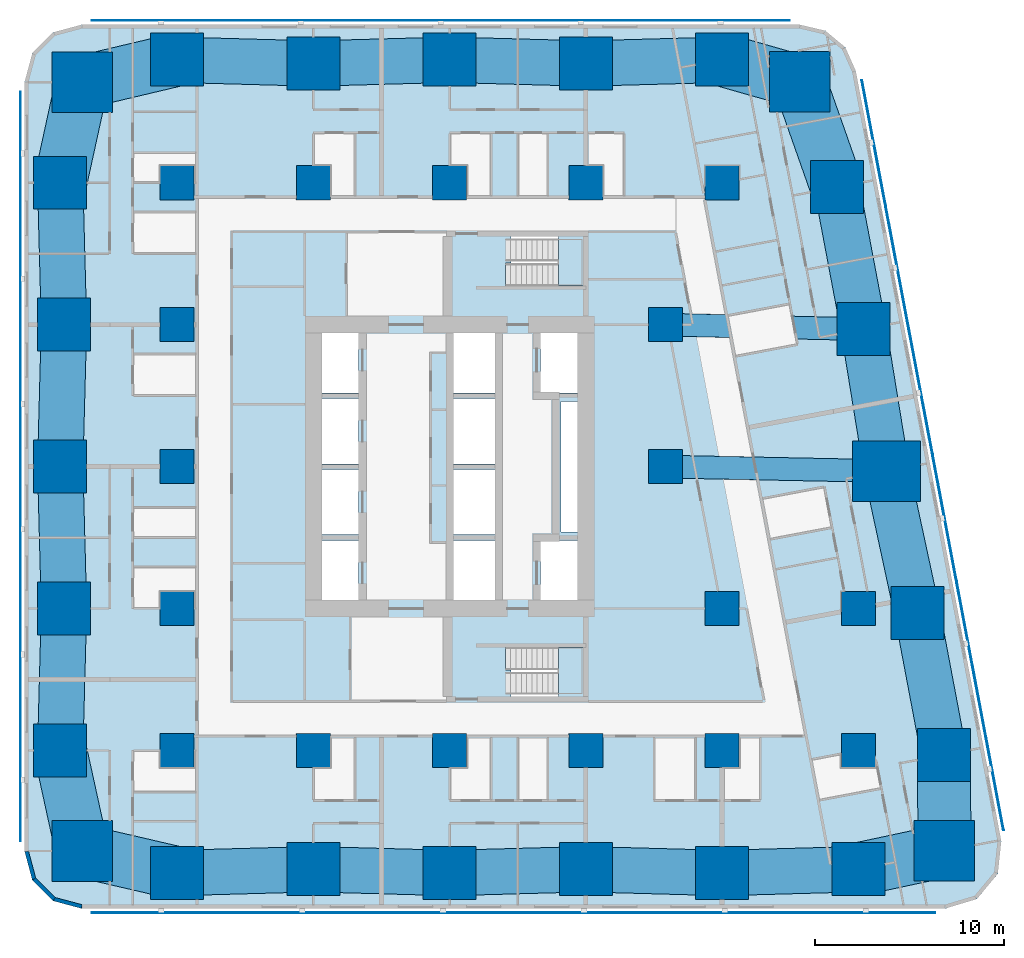
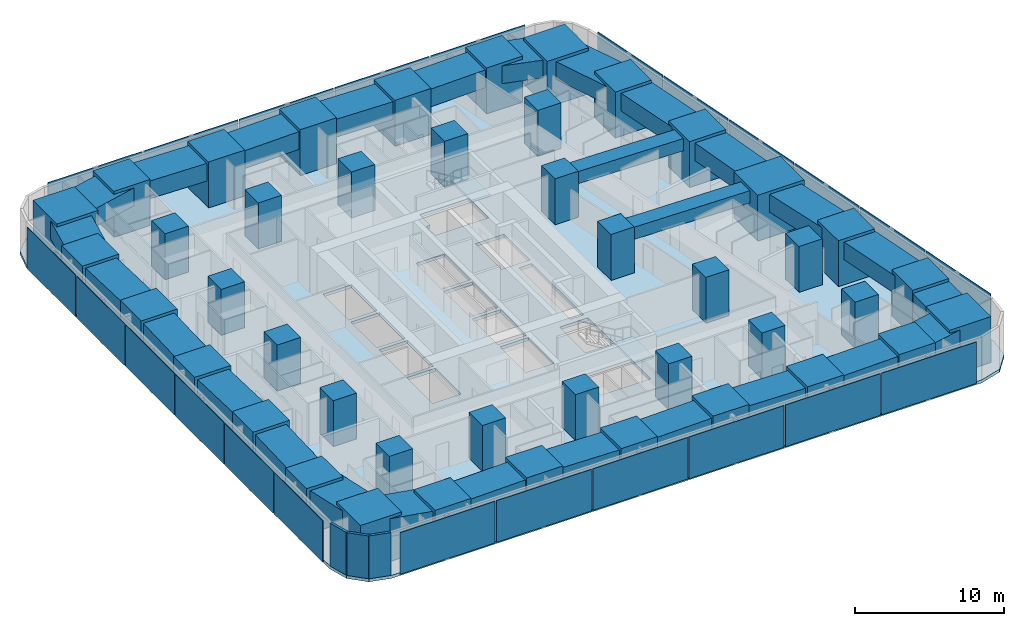
# One storey, part 1 of 16: 43 columns, 27 beams, 23 plates, 3 slabs, 3 walls, 2 elements without a shape of their own.
"""IFC4 building model written with IfcOpenShell, lengths in metres."""

from ifc_helpers import new_model, si_unit, direction, frame, frame_2d, origin, origin_2d, place, context, subcontext, project, spatial, polyline, rectangle, outline, extrude, material, layer, layer_set, material_profile, profile_set, type_object, element, aggregate, save


model = new_model("IFC4")

# Units and contexts
model_context = context("Model", 3, precision=1e-05, world=origin(), true_north=direction((0.0, 1.0)))
body_context = subcontext(model_context, "Body", "Model", "MODEL_VIEW")
ifc_project = project(units=[si_unit("LENGTHUNIT", "METRE"), si_unit("AREAUNIT", "SQUARE_METRE"), si_unit("VOLUMEUNIT", "CUBIC_METRE"), si_unit("PLANEANGLEUNIT", "RADIAN"), si_unit("MASSUNIT", "GRAM", prefix="KILO")], contexts=[model_context])

# Site, building, storey
site_placement = place(None, origin())
site = spatial("IfcSite", under=ifc_project, at=site_placement, CompositionType="ELEMENT")
building_placement = place(site_placement, origin())
building = spatial("IfcBuilding", under=site, at=building_placement, Name="Sheger Commons Tower", CompositionType="ELEMENT")
storey_placement = place(building_placement, frame((0.0, 0.0, 53.75)))
storey = spatial("IfcBuildingStorey", under=building, at=storey_placement, Name="L13", CompositionType="ELEMENT", Elevation=53.75)

# Columns
ifc_material_1 = material(Name="Concrete C50/60", Category="concrete")
ifc_material_profile_1 = material_profile(ifc_material_1, rectangle(XDim=3.60009765625, YDim=3.199951171875, at=origin_2d()), Name="RC 3600x3200")
ifc_profile_set_1 = profile_set([ifc_material_profile_1], Name="Concrete C50/60")
column_type_1 = type_object("IfcColumnType", Name="COLUMN PIER RC 3600x3200", PredefinedType="COLUMN", material=ifc_profile_set_1)
column_placement = place(storey_placement, frame((44.697021484375, 22.262939453125, 0.0), z_axis=(0.0, 0.0, 1.0), x_axis=(1.0, 0.0, 0.0)))
element("IfcColumn", 1, at=column_placement, inside=storey, type_object=column_type_1, Name="Pier 7/D+E/D L13", PredefinedType="COLUMN", context=body_context, shape_type="SweptSolid", body=[
    extrude(rectangle(XDim=3.60009765625, YDim=3.199951171875, at=origin_2d()), origin(), (0.0, 0.0, 1.0), 3.75),
])
ifc_material_2 = material(Name="Concrete C50/60", Category="concrete")
ifc_material_profile_2 = material_profile(ifc_material_2, rectangle(XDim=1.800048828125, YDim=1.800048828125, at=origin_2d()), Name="RC 1800x1800")
ifc_profile_set_2 = profile_set([ifc_material_profile_2], Name="Concrete C50/60")
column_type_2 = type_object("IfcColumnType", Name="COLUMN RC 1800x1800", PredefinedType="COLUMN", material=ifc_profile_set_2)
for number, where, z_axis, x_axis, name in (
    (2, (7.199951171875, 7.5, 0.0), (0.0, 0.0, 1.0), (1.0, 0.0, 0.0), "Column 2/B L13"),
    (3, (14.39990234375, 7.5, 0.0), (0.0, 0.0, 1.0), (1.0, 0.0, 0.0), "Column 3/B L13"),
    (4, (21.60009765625, 7.5, 0.0), (0.0, 0.0, 1.0), (1.0, 0.0, 0.0), "Column 4/B L13"),
    (5, (28.800048828125, 7.5, 0.0), (0.0, 0.0, 1.0), (1.0, 0.0, 0.0), "Column 5/B L13"),
    (6, (36.0, 7.5, 0.0), (0.0, 0.0, 1.0), (1.0, 0.0, 0.0), "Column 6/B L13"),
    (7, (43.199951171875, 7.5, 0.0), (0.0, 0.0, 1.0), (1.0, 0.0, 0.0), "Column 7/B L13"),
    (8, (7.199951171875, 15.0, 0.0), (0.0, 0.0, 1.0), (1.0, 0.0, 0.0), "Column 2/C L13"),
    (9, (36.0, 15.0, 0.0), (0.0, 0.0, 1.0), (1.0, 0.0, 0.0), "Column 6/C L13"),
    (10, (43.199951171875, 15.0, 0.0), (0.0, 0.0, 1.0), (1.0, 0.0, 0.0), "Column 7/C L13"),
    (11, (7.199951171875, 22.5, 0.0), (0.0, 0.0, 1.0), (1.0, 0.0, 0.0), "Column 2/D L13"),
    (12, (33.0, 22.5, 0.0), (0.0, 0.0, 1.0), (1.0, 0.0, 0.0), "Column 6-3000/D L13"),
    (13, (7.199951171875, 30.0, 0.0), (0.0, 0.0, 1.0), (1.0, 0.0, 0.0), "Column 2/E L13"),
    (14, (33.0, 30.0, 0.0), (0.0, 0.0, 1.0), (1.0, 0.0, 0.0), "Column 6-3000/E L13"),
    (15, (7.199951171875, 37.5, 0.0), (0.0, 0.0, 1.0), (1.0, 0.0, 0.0), "Column 2/F L13"),
    (16, (14.39990234375, 37.5, 0.0), (0.0, 0.0, 1.0), (1.0, 0.0, 0.0), "Column 3/F L13"),
    (17, (21.60009765625, 37.5, 0.0), (0.0, 0.0, 1.0), (1.0, 0.0, 0.0), "Column 4/F L13"),
    (18, (28.800048828125, 37.5, 0.0), (0.0, 0.0, 1.0), (1.0, 0.0, 0.0), "Column 5/F L13"),
    (19, (36.0, 37.5, 0.0), (0.0, 0.0, 1.0), (1.0, 0.0, 0.0), "Column 6/F L13"),
):
    element("IfcColumn", number, at=place(storey_placement, frame(where, z_axis=z_axis, x_axis=x_axis)), inside=storey, type_object=column_type_2, Name=name, PredefinedType="COLUMN", context=body_context, shape_type="SweptSolid", body=[
        extrude(rectangle(XDim=1.800048828125, YDim=1.800048828125, at=origin_2d()), origin(), (0.0, 0.0, 1.0), 3.75),
    ])
ifc_material_3 = material(Name="Concrete C50/60", Category="concrete")
ifc_material_profile_3 = material_profile(ifc_material_3, rectangle(XDim=2.800048828125, YDim=2.800048828125, at=origin_2d()), Name="RC 2800x2800")
ifc_profile_set_3 = profile_set([ifc_material_profile_3], Name="Concrete C50/60")
column_type_3 = type_object("IfcColumnType", Name="COLUMN RC 2800x2800", PredefinedType="COLUMN", material=ifc_profile_set_3)
for number, where, z_axis, x_axis, name in (
    (20, (7.199951171875, 1.02490234375, 0.0), (0.0, 0.0, 1.0), (1.0, 0.0, 0.0), "Column 2/A L13"),
    (21, (14.39990234375, 1.22509765625, 0.0), (0.0, 0.0, 1.0), (1.0, 0.0, 0.0), "Column 3/A L13"),
    (22, (21.60009765625, 1.02490234375, 0.0), (0.0, 0.0, 1.0), (1.0, 0.0, 0.0), "Column 4/A L13"),
    (23, (28.800048828125, 1.22509765625, 0.0), (0.0, 0.0, 1.0), (1.0, 0.0, 0.0), "Column 5/A L13"),
    (24, (36.0, 1.02490234375, 0.0), (0.0, 0.0, 1.0), (1.0, 0.0, 0.0), "Column 6/A L13"),
    (25, (43.199951171875, 1.22509765625, 0.0), (0.0, 0.0, 1.0), (1.0, 0.0, 0.0), "Column 7/A L13"),
    (26, (1.02490234375, 7.5, 0.0), (0.0, 0.0, 1.0), (1.0, 0.0, 0.0), "Column 1/B L13"),
    (27, (47.72998046875, 7.262939453125, 0.0), (0.0, 0.0, 1.0), (1.0, 0.0, 0.0), "Column E/B L13"),
    (28, (1.22509765625, 15.0, 0.0), (0.0, 0.0, 1.0), (1.0, 0.0, 0.0), "Column 1/C L13"),
    (29, (46.31396484375, 14.762939453125, 0.0), (0.0, 0.0, 1.0), (1.0, 0.0, 0.0), "Column E/C L13"),
    (30, (1.02490234375, 22.5, 0.0), (0.0, 0.0, 1.0), (1.0, 0.0, 0.0), "Column 1/D L13"),
    (31, (1.22509765625, 30.0, 0.0), (0.0, 0.0, 1.0), (1.0, 0.0, 0.0), "Column 1/E L13"),
    (32, (43.47998046875, 29.762939453125, 0.0), (0.0, 0.0, 1.0), (1.0, 0.0, 0.0), "Column E/E L13"),
    (33, (1.02490234375, 37.5, 0.0), (0.0, 0.0, 1.0), (1.0, 0.0, 0.0), "Column 1/F L13"),
    (34, (42.06396484375, 37.262939453125, 0.0), (0.0, 0.0, 1.0), (1.0, 0.0, 0.0), "Column E/F L13"),
    (35, (7.199951171875, 44.0, 0.0), (0.0, 0.0, 1.0), (1.0, 0.0, 0.0), "Column 2/G L13"),
    (36, (14.39990234375, 43.800048828125, 0.0), (0.0, 0.0, 1.0), (1.0, 0.0, 0.0), "Column 3/G L13"),
    (37, (21.60009765625, 44.0, 0.0), (0.0, 0.0, 1.0), (1.0, 0.0, 0.0), "Column 4/G L13"),
    (38, (28.800048828125, 43.800048828125, 0.0), (0.0, 0.0, 1.0), (1.0, 0.0, 0.0), "Column 5/G L13"),
    (39, (36.0, 44.0, 0.0), (0.0, 0.0, 1.0), (1.0, 0.0, 0.0), "Column 6/G L13"),
):
    element("IfcColumn", number, at=place(storey_placement, frame(where, z_axis=z_axis, x_axis=x_axis)), inside=storey, type_object=column_type_3, Name=name, PredefinedType="COLUMN", context=body_context, shape_type="SweptSolid", body=[
        extrude(rectangle(XDim=2.800048828125, YDim=2.800048828125, at=origin_2d()), origin(), (0.0, 0.0, 1.0), 3.75),
    ])
ifc_material_4 = material(Name="Concrete C50/60", Category="concrete")
ifc_material_profile_4 = material_profile(ifc_material_4, rectangle(XDim=3.199951171875, YDim=3.199951171875, at=origin_2d()), Name="RC 3200x3200")
ifc_profile_set_4 = profile_set([ifc_material_profile_4], Name="Concrete C50/60")
column_type_4 = type_object("IfcColumnType", Name="COLUMN RC 3200x3200", PredefinedType="COLUMN", material=ifc_profile_set_4)
for number, where, z_axis, x_axis, name in (
    (40, (2.18603515625, 2.18603515625, 0.0), (0.0, 0.0, 1.0), (1.0, 0.0, 0.0), "Column 0.630,0.630 L13"),
    (41, (47.748046875, 2.197021484375, 0.0), (0.0, 0.0, 1.0), (1.0, 0.0, 0.0), "Column 49.461,0.778 L13"),
    (42, (2.18603515625, 42.81396484375, 0.0), (0.0, 0.0, 1.0), (1.0, 0.0, 0.0), "Column 0.630,44.370 L13"),
    (43, (40.10205078125, 42.830078125, 0.0), (0.0, 0.0, 1.0), (1.0, 0.0, 0.0), "Column 41.490,44.505 L13"),
):
    element("IfcColumn", number, at=place(storey_placement, frame(where, z_axis=z_axis, x_axis=x_axis)), inside=storey, type_object=column_type_4, Name=name, PredefinedType="COLUMN", context=body_context, shape_type="SweptSolid", body=[
        extrude(rectangle(XDim=3.199951171875, YDim=3.199951171875, at=origin_2d()), origin(), (0.0, 0.0, 1.0), 3.75),
    ])

# Beams
ifc_material_5 = material(Name="Concrete C50/60", Category="concrete")
ifc_material_profile_5 = material_profile(ifc_material_5, rectangle(XDim=1.199951171875, YDim=1.0, at=origin_2d()), Name="RC 1200x1000")
ifc_profile_set_5 = profile_set([ifc_material_profile_5], Name="Concrete C50/60")
beam_type_1 = type_object("IfcBeamType", Name="BEAM RC 1200x1000", PredefinedType="BEAM", material=ifc_profile_set_5)
beam_1_placement = place(storey_placement, frame((33.0, 22.5, 3.0), z_axis=(0.999794692776, -0.02026258368, 0.0), x_axis=(0.02026258368, 0.999794692776, 0.0)))
element("IfcBeam", 44, at=beam_1_placement, inside=storey, type_object=beam_type_1, Name="Beam 6-3000/D-7/D under L14", PredefinedType="BEAM", context=body_context, shape_type="SweptSolid", body=[
    extrude(rectangle(XDim=1.199951171875, YDim=1.0, at=origin_2d()), origin(), (0.0, 0.0, 1.0), 11.699462890625),
])
beam_2_placement = place(storey_placement, frame((33.0, 30.0, 3.0), z_axis=(0.999744258625, -0.022614538395, 0.0), x_axis=(0.022614538395, 0.999744258625, 0.0)))
element("IfcBeam", 45, at=beam_2_placement, inside=storey, type_object=beam_type_1, Name="Beam 6-3000/E-E/E under L14", PredefinedType="BEAM", context=body_context, shape_type="SweptSolid", body=[
    extrude(rectangle(XDim=1.199951171875, YDim=1.0, at=origin_2d()), origin(), (0.0, 0.0, 1.0), 10.482666015625),
])
ifc_material_6 = material(Name="Concrete C50/60", Category="concrete")
ifc_material_profile_6 = material_profile(ifc_material_6, rectangle(XDim=2.39990234375, YDim=1.449951171875, at=origin_2d()), Name="RC 2400x1450")
ifc_profile_set_6 = profile_set([ifc_material_profile_6], Name="Concrete C50/60")
beam_type_2 = type_object("IfcBeamType", Name="SPANDREL RC 2400x1450", PredefinedType="SPANDREL", material=ifc_profile_set_6)
beam_3_placement = place(storey_placement, frame((7.199951171875, 1.02490234375, 2.77490234375), z_axis=(0.9996136624, 0.027794350926, 0.0), x_axis=(-0.027794350926, 0.9996136624, 0.0)))
element("IfcBeam", 46, at=beam_3_placement, inside=storey, type_object=beam_type_2, Name="Beam 2/A-3/A under L14", PredefinedType="SPANDREL", context=body_context, shape_type="SweptSolid", body=[
    extrude(rectangle(XDim=2.39990234375, YDim=1.449951171875, at=origin_2d()), origin(), (0.0, 0.0, 1.0), 7.20263671875),
])
beam_4_placement = place(storey_placement, frame((14.39990234375, 1.22509765625, 2.77490234375), z_axis=(0.999613688584, -0.027793409217, 0.0), x_axis=(0.027793409217, 0.999613688584, 0.0)))
element("IfcBeam", 47, at=beam_4_placement, inside=storey, type_object=beam_type_2, Name="Beam 3/A-4/A under L14", PredefinedType="SPANDREL", context=body_context, shape_type="SweptSolid", body=[
    extrude(rectangle(XDim=2.39990234375, YDim=1.449951171875, at=origin_2d()), origin(), (0.0, 0.0, 1.0), 7.202880859375),
])
for number, where, z_axis, x_axis, name in (
    (48, (21.60009765625, 1.02490234375, 2.77490234375), (0.9996136624, 0.027794350926, 0.0), (-0.027794350926, 0.9996136624, 0.0), "Beam 4/A-5/A under L14"),
    (49, (28.800048828125, 1.22509765625, 2.77490234375), (0.9996136624, -0.027794350926, 0.0), (0.027794350926, 0.9996136624, 0.0), "Beam 5/A-6/A under L14"),
    (50, (36.0, 1.02490234375, 2.77490234375), (0.9996136624, 0.027794350926, 0.0), (-0.027794350926, 0.9996136624, 0.0), "Beam 6/A-7/A under L14"),
):
    element("IfcBeam", number, at=place(storey_placement, frame(where, z_axis=z_axis, x_axis=x_axis)), inside=storey, type_object=beam_type_2, Name=name, PredefinedType="SPANDREL", context=body_context, shape_type="SweptSolid", body=[
        extrude(rectangle(XDim=2.39990234375, YDim=1.449951171875, at=origin_2d()), origin(), (0.0, 0.0, 1.0), 7.20263671875),
    ])
beam_5_placement = place(storey_placement, frame((47.72998046875, 7.262939453125, 2.77490234375), z_axis=(-0.18552441405, 0.982639655108, 0.0), x_axis=(-0.982639655108, -0.18552441405, 0.0)))
element("IfcBeam", 51, at=beam_5_placement, inside=storey, type_object=beam_type_2, Name="Beam E/B-E/C under L14", PredefinedType="SPANDREL", context=body_context, shape_type="SweptSolid", body=[
    extrude(rectangle(XDim=2.39990234375, YDim=1.449951171875, at=origin_2d()), origin(), (0.0, 0.0, 1.0), 7.632568359375),
])
beam_6_placement = place(storey_placement, frame((46.31396484375, 14.762939453125, 2.77490234375), z_axis=(-0.210750229323, 0.977539943348, 0.0), x_axis=(-0.977539943348, -0.210750229323, 0.0)))
element("IfcBeam", 52, at=beam_6_placement, inside=storey, type_object=beam_type_2, Name="Beam E/C-E/D under L14", PredefinedType="SPANDREL", context=body_context, shape_type="SweptSolid", body=[
    extrude(rectangle(XDim=2.39990234375, YDim=1.449951171875, at=origin_2d()), origin(), (0.0, 0.0, 1.0), 7.67236328125),
])
beam_7_placement = place(storey_placement, frame((44.697021484375, 22.262939453125, 2.77490234375), z_axis=(-0.160176929512, 0.987088319884, 0.0), x_axis=(-0.987088319884, -0.160176929512, 0.0)))
element("IfcBeam", 53, at=beam_7_placement, inside=storey, type_object=beam_type_2, Name="Beam E/D-E/E under L14", PredefinedType="SPANDREL", context=body_context, shape_type="SweptSolid", body=[
    extrude(rectangle(XDim=2.39990234375, YDim=1.449951171875, at=origin_2d()), origin(), (0.0, 0.0, 1.0), 7.59814453125),
])
beam_8_placement = place(storey_placement, frame((43.47998046875, 29.762939453125, 2.77490234375), z_axis=(-0.18552441405, 0.982639655108, 0.0), x_axis=(-0.982639655108, -0.18552441405, 0.0)))
element("IfcBeam", 54, at=beam_8_placement, inside=storey, type_object=beam_type_2, Name="Beam E/E-E/F under L14", PredefinedType="SPANDREL", context=body_context, shape_type="SweptSolid", body=[
    extrude(rectangle(XDim=2.39990234375, YDim=1.449951171875, at=origin_2d()), origin(), (0.0, 0.0, 1.0), 7.632568359375),
])
for number, where, z_axis, x_axis, name in (
    (55, (36.0, 44.0, 2.77490234375), (-0.999614603568, -0.027760481514, 0.0), (0.027760481514, -0.999614603568, 0.0), "Beam 6/G-5/G under L14"),
    (56, (28.800048828125, 43.800048828125, 2.77490234375), (-0.999614603568, 0.027760481514, 0.0), (-0.027760481514, -0.999614603568, 0.0), "Beam 5/G-4/G under L14"),
):
    element("IfcBeam", number, at=place(storey_placement, frame(where, z_axis=z_axis, x_axis=x_axis)), inside=storey, type_object=beam_type_2, Name=name, PredefinedType="SPANDREL", context=body_context, shape_type="SweptSolid", body=[
        extrude(rectangle(XDim=2.39990234375, YDim=1.449951171875, at=origin_2d()), origin(), (0.0, 0.0, 1.0), 7.20263671875),
    ])
beam_9_placement = place(storey_placement, frame((21.60009765625, 44.0, 2.77490234375), z_axis=(-0.999614629688, -0.027759540951, 0.0), x_axis=(0.027759540951, -0.999614629688, 0.0)))
element("IfcBeam", 57, at=beam_9_placement, inside=storey, type_object=beam_type_2, Name="Beam 4/G-3/G under L14", PredefinedType="SPANDREL", context=body_context, shape_type="SweptSolid", body=[
    extrude(rectangle(XDim=2.39990234375, YDim=1.449951171875, at=origin_2d()), origin(), (0.0, 0.0, 1.0), 7.202880859375),
])
beam_10_placement = place(storey_placement, frame((14.39990234375, 43.800048828125, 2.77490234375), z_axis=(-0.999614603568, 0.027760481514, 0.0), x_axis=(-0.027760481514, -0.999614603568, 0.0)))
element("IfcBeam", 58, at=beam_10_placement, inside=storey, type_object=beam_type_2, Name="Beam 3/G-2/G under L14", PredefinedType="SPANDREL", context=body_context, shape_type="SweptSolid", body=[
    extrude(rectangle(XDim=2.39990234375, YDim=1.449951171875, at=origin_2d()), origin(), (0.0, 0.0, 1.0), 7.20263671875),
])
for number, where, z_axis, x_axis, name in (
    (59, (1.02490234375, 37.5, 2.77490234375), (0.026683204125, -0.999643939919, 0.0), (0.999643939919, 0.026683204125, 0.0), "Beam 1/F-1/E under L14"),
    (60, (1.22509765625, 30.0, 2.77490234375), (-0.026683204125, -0.999643939919, 0.0), (0.999643939919, -0.026683204125, 0.0), "Beam 1/E-1/D under L14"),
    (61, (1.02490234375, 22.5, 2.77490234375), (0.026683204125, -0.999643939919, 0.0), (0.999643939919, 0.026683204125, 0.0), "Beam 1/D-1/C under L14"),
    (62, (1.22509765625, 15.0, 2.77490234375), (-0.026683204125, -0.999643939919, 0.0), (0.999643939919, -0.026683204125, 0.0), "Beam 1/C-1/B under L14"),
):
    element("IfcBeam", number, at=place(storey_placement, frame(where, z_axis=z_axis, x_axis=x_axis)), inside=storey, type_object=beam_type_2, Name=name, PredefinedType="SPANDREL", context=body_context, shape_type="SweptSolid", body=[
        extrude(rectangle(XDim=2.39990234375, YDim=1.449951171875, at=origin_2d()), origin(), (0.0, 0.0, 1.0), 7.502685546875),
    ])
ifc_material_7 = material(Name="Concrete C50/60", Category="concrete")
ifc_material_profile_7 = material_profile(ifc_material_7, rectangle(XDim=2.800048828125, YDim=1.449951171875, at=origin_2d()), Name="RC 2800x1450")
ifc_profile_set_7 = profile_set([ifc_material_profile_7], Name="Concrete C50/60")
beam_type_3 = type_object("IfcBeamType", Name="SPANDREL RC 2800x1450", PredefinedType="SPANDREL", material=ifc_profile_set_7)
beam_11_placement = place(storey_placement, frame((2.18603515625, 2.18603515625, 2.77490234375), z_axis=(0.974217413499, -0.225611239159, 0.0), x_axis=(0.225611239159, 0.974217413499, 0.0)))
element("IfcBeam", 63, at=beam_11_placement, inside=storey, type_object=beam_type_3, Name="Beam 0.630,0.630-2/A under L14", PredefinedType="SPANDREL", context=body_context, shape_type="SweptSolid", body=[
    extrude(rectangle(XDim=2.800048828125, YDim=1.449951171875, at=origin_2d()), origin(), (0.0, 0.0, 1.0), 5.146728515625),
])
beam_12_placement = place(storey_placement, frame((43.199951171875, 1.22509765625, 2.77490234375), z_axis=(0.977919796671, 0.208980552394, 0.0), x_axis=(-0.208980552394, 0.977919796671, 0.0)))
element("IfcBeam", 64, at=beam_12_placement, inside=storey, type_object=beam_type_3, Name="Beam 7/A-49.461,0.778 under L14", PredefinedType="SPANDREL", context=body_context, shape_type="SweptSolid", body=[
    extrude(rectangle(XDim=2.800048828125, YDim=1.449951171875, at=origin_2d()), origin(), (0.0, 0.0, 1.0), 4.65087890625),
])
beam_13_placement = place(storey_placement, frame((47.748046875, 2.197021484375, 2.77490234375), z_axis=(-0.003566242382, 0.999993640937, 0.0), x_axis=(-0.999993640937, -0.003566242382, 0.0)))
element("IfcBeam", 65, at=beam_13_placement, inside=storey, type_object=beam_type_3, Name="Beam 49.461,0.778-E/B under L14", PredefinedType="SPANDREL", context=body_context, shape_type="SweptSolid", body=[
    extrude(rectangle(XDim=2.800048828125, YDim=1.449951171875, at=origin_2d()), origin(), (0.0, 0.0, 1.0), 5.06591796875),
])
beam_14_placement = place(storey_placement, frame((42.06396484375, 37.262939453125, 2.77490234375), z_axis=(-0.332374403357, 0.943147526102, 0.0), x_axis=(-0.943147526102, -0.332374403357, 0.0)))
element("IfcBeam", 66, at=beam_14_placement, inside=storey, type_object=beam_type_3, Name="Beam E/F-41.490,44.505 under L14", PredefinedType="SPANDREL", context=body_context, shape_type="SweptSolid", body=[
    extrude(rectangle(XDim=2.800048828125, YDim=1.449951171875, at=origin_2d()), origin(), (0.0, 0.0, 1.0), 5.90283203125),
])
beam_15_placement = place(storey_placement, frame((40.10205078125, 42.830078125, 2.77490234375), z_axis=(-0.961653428129, 0.274267541221, 0.0), x_axis=(-0.274267541221, -0.961653428129, 0.0)))
element("IfcBeam", 67, at=beam_15_placement, inside=storey, type_object=beam_type_3, Name="Beam 41.490,44.505-6/G under L14", PredefinedType="SPANDREL", context=body_context, shape_type="SweptSolid", body=[
    extrude(rectangle(XDim=2.800048828125, YDim=1.449951171875, at=origin_2d()), origin(), (0.0, 0.0, 1.0), 4.265625),
])
beam_16_placement = place(storey_placement, frame((7.199951171875, 44.0, 2.77490234375), z_axis=(-0.97314428949, -0.230195985701, 0.0), x_axis=(0.230195985701, -0.97314428949, 0.0)))
element("IfcBeam", 68, at=beam_16_placement, inside=storey, type_object=beam_type_3, Name="Beam 2/G-0.630,44.370 under L14", PredefinedType="SPANDREL", context=body_context, shape_type="SweptSolid", body=[
    extrude(rectangle(XDim=2.800048828125, YDim=1.449951171875, at=origin_2d()), origin(), (0.0, 0.0, 1.0), 5.15234375),
])
for number, where, z_axis, x_axis, name in (
    (69, (2.18603515625, 42.81396484375, 2.77490234375), (-0.213469314652, -0.976949769283, 0.0), (0.976949769283, -0.213469314652, 0.0), "Beam 0.630,44.370-1/F under L14"),
    (70, (1.02490234375, 7.5, 2.77490234375), (0.213469314652, -0.976949769283, 0.0), (0.976949769283, 0.213469314652, 0.0), "Beam 1/B-0.630,0.630 under L14"),
):
    element("IfcBeam", number, at=place(storey_placement, frame(where, z_axis=z_axis, x_axis=x_axis)), inside=storey, type_object=beam_type_3, Name=name, PredefinedType="SPANDREL", context=body_context, shape_type="SweptSolid", body=[
        extrude(rectangle(XDim=2.800048828125, YDim=1.449951171875, at=origin_2d()), origin(), (0.0, 0.0, 1.0), 5.439453125),
    ])

# Slab
ifc_material_8 = material(Name="Concrete C35/45", Category="concrete")
ifc_layer_1 = layer(ifc_material_8, 0.25)
ifc_layer_set_1 = layer_set([ifc_layer_1], Name="SLAB FLOOR 250")
slab_type_1 = type_object("IfcSlabType", Name="SLAB FLOOR 250", PredefinedType="FLOOR", material=ifc_layer_set_1)
slab_1_placement = place(storey_placement, frame((0.0, 0.0, -0.25)))
element("IfcSlab", 71, at=slab_1_placement, inside=storey, type_object=slab_type_1, Name="L13 floor slab", PredefinedType="FLOOR", context=body_context, shape_type="SweptSolid", body=[
    extrude(outline(polyline([(-0.85009765625, 2.14990234375), (-0.447998046875, 0.64990234375), (0.64990234375, -0.447998046875), (2.14990234375, -0.85009765625), (47.805908203125, -0.85009765625), (49.465087890625, -0.35009765625), (50.570068359375, 0.98388671875), (50.75390625, 2.70703125), (43.06591796875, 43.406982421875), (42.509033203125, 44.660888671875), (41.452880859375, 45.535888671875), (40.117919921875, 45.85009765625), (2.14990234375, 45.85009765625), (0.64990234375, 45.447998046875), (-0.447998046875, 44.35009765625), (-0.85009765625, 42.85009765625), (-0.85009765625, 2.14990234375)]), holes=[polyline([(24.85009765625, 10.35009765625), (28.64990234375, 10.35009765625), (28.64990234375, 12.949951171875), (24.551025390625, 12.949951171875), (24.551025390625, 11.75), (24.85009765625, 11.75), (24.85009765625, 10.35009765625)]), polyline([(24.551025390625, 32.050048828125), (28.64990234375, 32.050048828125), (28.64990234375, 34.64990234375), (24.85009765625, 34.64990234375), (24.85009765625, 33.25), (24.551025390625, 33.25), (24.551025390625, 32.050048828125)]), polyline([(26.39990234375, 15.14990234375), (28.60009765625, 15.14990234375), (28.60009765625, 18.60009765625), (26.39990234375, 18.60009765625), (26.39990234375, 15.14990234375)]), polyline([(26.39990234375, 26.39990234375), (28.60009765625, 26.39990234375), (28.60009765625, 29.85009765625), (26.39990234375, 29.85009765625), (26.39990234375, 26.39990234375)]), polyline([(14.60009765625, 15.14990234375), (16.800048828125, 15.14990234375), (16.800048828125, 18.60009765625), (14.60009765625, 18.60009765625), (14.60009765625, 15.14990234375)]), polyline([(14.60009765625, 18.89990234375), (16.800048828125, 18.89990234375), (16.800048828125, 22.35009765625), (14.60009765625, 22.35009765625), (14.60009765625, 18.89990234375)]), polyline([(14.60009765625, 22.64990234375), (16.800048828125, 22.64990234375), (16.800048828125, 26.10009765625), (14.60009765625, 26.10009765625), (14.60009765625, 22.64990234375)]), polyline([(14.60009765625, 26.39990234375), (16.800048828125, 26.39990234375), (16.800048828125, 29.85009765625), (14.60009765625, 29.85009765625), (14.60009765625, 26.39990234375)]), polyline([(21.800048828125, 15.14990234375), (24.0, 15.14990234375), (24.0, 18.60009765625), (21.800048828125, 18.60009765625), (21.800048828125, 15.14990234375)]), polyline([(21.800048828125, 18.89990234375), (24.0, 18.89990234375), (24.0, 22.35009765625), (21.800048828125, 22.35009765625), (21.800048828125, 18.89990234375)]), polyline([(21.800048828125, 22.64990234375), (24.0, 22.64990234375), (24.0, 26.10009765625), (21.800048828125, 26.10009765625), (21.800048828125, 22.64990234375)]), polyline([(21.800048828125, 26.39990234375), (24.0, 26.39990234375), (24.0, 29.85009765625), (21.800048828125, 29.85009765625), (21.800048828125, 26.39990234375)]), polyline([(27.5, 19.050048828125), (28.5, 19.050048828125), (28.5, 25.949951171875), (27.5, 25.949951171875), (27.5, 19.050048828125)])]), origin(), (0.0, 0.0, 1.0), 0.25),
])

# Plates
ifc_material_9 = material(Name="Perforated black anodised aluminium screen", Category="aluminium")
ifc_layer_2 = layer(ifc_material_9, 0.050048828125)
ifc_layer_set_2 = layer_set([ifc_layer_2], Name="SOLAR SCREEN SCREEN-1")
plate_type = type_object("IfcPlateType", Name="SOLAR SCREEN SCREEN-1", PredefinedType="USERDEFINED", material=ifc_layer_set_2)
for number, where, z_axis, x_axis, name in (
    (72, (6.37109375, -1.074951171875, 0.050048828125), (0.0, 0.0, 1.0), (1.0, 0.0, 0.0), "Perforated solar screen panel"),
    (73, (13.81396484375, -1.074951171875, 0.050048828125), (0.0, 0.0, 1.0), (1.0, 0.0, 0.0), "Perforated solar screen panel"),
    (74, (21.257080078125, -1.074951171875, 0.050048828125), (0.0, 0.0, 1.0), (1.0, 0.0, 0.0), "Perforated solar screen panel"),
    (75, (28.698974609375, -1.074951171875, 0.050048828125), (0.0, 0.0, 1.0), (1.0, 0.0, 0.0), "Perforated solar screen panel"),
    (76, (36.14208984375, -1.074951171875, 0.050048828125), (0.0, 0.0, 1.0), (1.0, 0.0, 0.0), "Perforated solar screen panel"),
    (77, (43.5849609375, -1.074951171875, 0.050048828125), (0.0, 0.0, 1.0), (1.0, 0.0, 0.0), "Perforated solar screen panel"),
):
    element("IfcPlate", number, at=place(storey_placement, frame(where, z_axis=z_axis, x_axis=x_axis)), inside=storey, type_object=plate_type, Name=name, ObjectType="SCREEN", PredefinedType="USERDEFINED", context=body_context, shape_type="SweptSolid", body=[
        extrude(rectangle(XDim=7.343017578125, YDim=0.050048828125, at=origin_2d()), origin(), (0.0, 0.0, 1.0), 3.39990234375),
    ])
for number, where, z_axis, x_axis, name in (
    (78, (50.257080078125, 6.550048828125, 0.050048828125), (0.0, 0.0, 1.0), (-0.185615165645, 0.982622516678, 0.0), "Perforated solar screen panel"),
    (79, (49.007080078125, 13.1689453125, 0.050048828125), (0.0, 0.0, 1.0), (-0.185615165645, 0.982622516678, 0.0), "Perforated solar screen panel"),
    (80, (47.756103515625, 19.7890625, 0.050048828125), (0.0, 0.0, 1.0), (-0.185615165645, 0.982622516678, 0.0), "Perforated solar screen panel"),
    (81, (46.506103515625, 26.408935546875, 0.050048828125), (0.0, 0.0, 1.0), (-0.185615165645, 0.982622516678, 0.0), "Perforated solar screen panel"),
    (82, (45.2548828125, 33.028076171875, 0.050048828125), (0.0, 0.0, 1.0), (-0.185615165645, 0.982622516678, 0.0), "Perforated solar screen panel"),
    (83, (44.0048828125, 39.64794921875, 0.050048828125), (0.0, 0.0, 1.0), (-0.185615165645, 0.982622516678, 0.0), "Perforated solar screen panel"),
):
    element("IfcPlate", number, at=place(storey_placement, frame(where, z_axis=z_axis, x_axis=x_axis)), inside=storey, type_object=plate_type, Name=name, ObjectType="SCREEN", PredefinedType="USERDEFINED", context=body_context, shape_type="SweptSolid", body=[
        extrude(rectangle(XDim=6.636962890625, YDim=0.050048828125, at=origin_2d()), origin(), (0.0, 0.0, 1.0), 3.39990234375),
    ])
for number, where, z_axis, x_axis, name in (
    (84, (35.9208984375, 46.074951171875, 0.050048828125), (0.0, 0.0, 1.0), (-1.0, 0.0, 0.0), "Perforated solar screen panel"),
    (85, (28.528076171875, 46.074951171875, 0.050048828125), (0.0, 0.0, 1.0), (-1.0, 0.0, 0.0), "Perforated solar screen panel"),
    (86, (21.134033203125, 46.074951171875, 0.050048828125), (0.0, 0.0, 1.0), (-1.0, 0.0, 0.0), "Perforated solar screen panel"),
    (87, (13.739990234375, 46.074951171875, 0.050048828125), (0.0, 0.0, 1.0), (-1.0, 0.0, 0.0), "Perforated solar screen panel"),
    (88, (6.346923828125, 46.074951171875, 0.050048828125), (0.0, 0.0, 1.0), (-1.0, 0.0, 0.0), "Perforated solar screen panel"),
):
    element("IfcPlate", number, at=place(storey_placement, frame(where, z_axis=z_axis, x_axis=x_axis)), inside=storey, type_object=plate_type, Name=name, ObjectType="SCREEN", PredefinedType="USERDEFINED", context=body_context, shape_type="SweptSolid", body=[
        extrude(rectangle(XDim=7.2939453125, YDim=0.050048828125, at=origin_2d()), origin(), (0.0, 0.0, 1.0), 3.39990234375),
    ])
for number, where, z_axis, x_axis, name in (
    (89, (-1.074951171875, 39.0419921875, 0.050048828125), (0.0, 0.0, 1.0), (0.0, -1.0, 0.0), "Perforated solar screen panel"),
    (90, (-1.074951171875, 32.425048828125, 0.050048828125), (0.0, 0.0, 1.0), (0.0, -1.0, 0.0), "Perforated solar screen panel"),
    (91, (-1.074951171875, 25.80810546875, 0.050048828125), (0.0, 0.0, 1.0), (0.0, -1.0, 0.0), "Perforated solar screen panel"),
    (92, (-1.074951171875, 19.19189453125, 0.050048828125), (0.0, 0.0, 1.0), (0.0, -1.0, 0.0), "Perforated solar screen panel"),
    (93, (-1.074951171875, 12.574951171875, 0.050048828125), (0.0, 0.0, 1.0), (0.0, -1.0, 0.0), "Perforated solar screen panel"),
    (94, (-1.074951171875, 5.9580078125, 0.050048828125), (0.0, 0.0, 1.0), (0.0, -1.0, 0.0), "Perforated solar screen panel"),
):
    element("IfcPlate", number, at=place(storey_placement, frame(where, z_axis=z_axis, x_axis=x_axis)), inside=storey, type_object=plate_type, Name=name, ObjectType="SCREEN", PredefinedType="USERDEFINED", context=body_context, shape_type="SweptSolid", body=[
        extrude(rectangle(XDim=6.51708984375, YDim=0.050048828125, at=origin_2d()), origin(), (0.0, 0.0, 1.0), 3.39990234375),
    ])

# Stair, slab
ifc_material_10 = material(Name="Concrete C35/45", Category="concrete")
stair_type = type_object("IfcStairType", Name="HALF-TURN STAIR 1200 RISE 3750", PredefinedType="HALF_TURN_STAIR", material=ifc_material_10)
stair_1_placement = place(storey_placement, origin())
stair_1 = element("IfcStair", 95, at=stair_1_placement, inside=storey, type_object=stair_type, Name="Stair S1 L13", PredefinedType="HALF_TURN_STAIR")
ifc_material_11 = material(Name="Concrete C35/45", Category="concrete")
ifc_layer_3 = layer(ifc_material_11, 0.199951171875)
ifc_layer_set_3 = layer_set([ifc_layer_3], Name="STAIR LANDING 200")
slab_type_2 = type_object("IfcSlabType", Name="STAIR LANDING 200", PredefinedType="LANDING", material=ifc_layer_set_3)
slab_2_placement = place(storey_placement, frame((0.0, 0.0, 1.675048828125)))
slab_2 = element("IfcSlab", 96, at=slab_2_placement, type_object=slab_type_2, Name="S1 landing 1", PredefinedType="LANDING", context=body_context, shape_type="SweptSolid", body=[
    extrude(outline(polyline([(27.35009765625, 10.199951171875), (28.800048828125, 10.199951171875), (28.800048828125, 12.949951171875), (27.35009765625, 12.949951171875), (27.35009765625, 10.199951171875)])), origin(), (0.0, 0.0, 1.0), 0.199951171875),
])
aggregate(stair_1, [slab_2])

stair_2_placement = place(storey_placement, origin())
stair_2 = element("IfcStair", 97, at=stair_2_placement, inside=storey, type_object=stair_type, Name="Stair S2 L13", PredefinedType="HALF_TURN_STAIR")
slab_3_placement = place(storey_placement, frame((0.0, 0.0, 1.675048828125)))
slab_3 = element("IfcSlab", 98, at=slab_3_placement, type_object=slab_type_2, Name="S2 landing 1", PredefinedType="LANDING", context=body_context, shape_type="SweptSolid", body=[
    extrude(outline(polyline([(27.35009765625, 32.050048828125), (28.800048828125, 32.050048828125), (28.800048828125, 34.800048828125), (27.35009765625, 34.800048828125), (27.35009765625, 32.050048828125)])), origin(), (0.0, 0.0, 1.0), 0.199951171875),
])
aggregate(stair_2, [slab_3])

# Walls
ifc_material_12 = material(Name="Rendered concrete block masonry, dark grey", Category="masonry")
ifc_layer_4 = layer(ifc_material_12, 0.199951171875)
ifc_layer_set_4 = layer_set([ifc_layer_4], Name="FACADE WALL 200")
wall_type = type_object("IfcWallType", Name="FACADE WALL 200", PredefinedType="SOLIDWALL", material=ifc_layer_set_4)
wall_1_placement = place(storey_placement, frame((-0.75, 2.1630859375, 0.0), z_axis=(0.0, 0.0, 1.0), x_axis=(0.259168954497, -0.965832000415, 0.0)))
element("IfcWall", 99, at=wall_1_placement, inside=storey, type_object=wall_type, Name="Facade wall L13", PredefinedType="SOLIDWALL", context=body_context, shape_type="SweptSolid", body=[
    extrude(rectangle(XDim=1.512939453125, YDim=0.199951171875, at=frame_2d((0.75634765625, 0.0))), origin(), (0.0, 0.0, 1.0), 3.5),
])
wall_2_placement = place(storey_placement, frame((-0.35791015625, 0.701904296875, 0.0), z_axis=(0.0, 0.0, 1.0), x_axis=(0.707106781187, -0.707106781187, 0.0)))
element("IfcWall", 100, at=wall_2_placement, inside=storey, type_object=wall_type, Name="Facade wall L13", PredefinedType="SOLIDWALL", context=body_context, shape_type="SweptSolid", body=[
    extrude(rectangle(XDim=1.498779296875, YDim=0.199951171875, at=frame_2d((0.74951171875, 0.0))), origin(), (0.0, 0.0, 1.0), 3.5),
])
wall_3_placement = place(storey_placement, frame((0.701904296875, -0.35791015625, 0.0), z_axis=(0.0, 0.0, 1.0), x_axis=(0.965832000415, -0.259168954497, 0.0)))
element("IfcWall", 101, at=wall_3_placement, inside=storey, type_object=wall_type, Name="Facade wall L13", PredefinedType="SOLIDWALL", context=body_context, shape_type="SweptSolid", body=[
    extrude(rectangle(XDim=1.512939453125, YDim=0.199951171875, at=frame_2d((0.75634765625, 0.0))), origin(), (0.0, 0.0, 1.0), 3.5),
])

save(model, "model.ifc")
